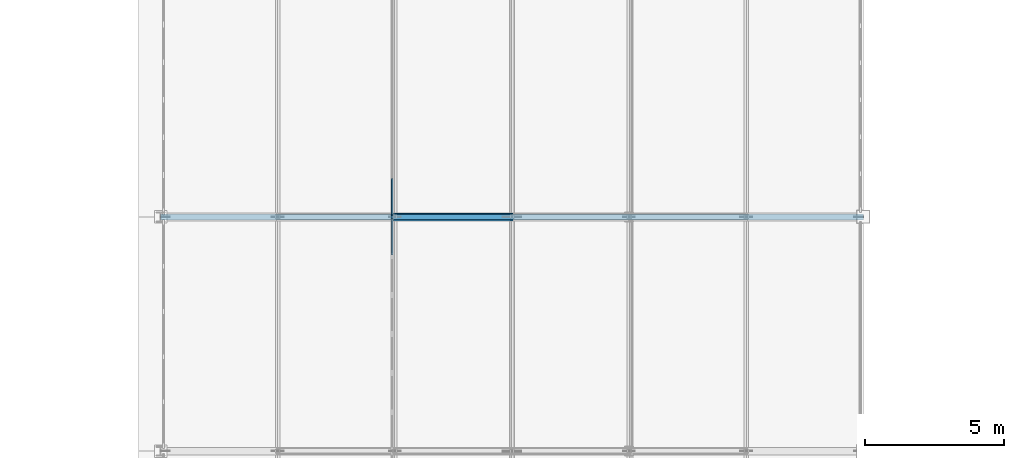
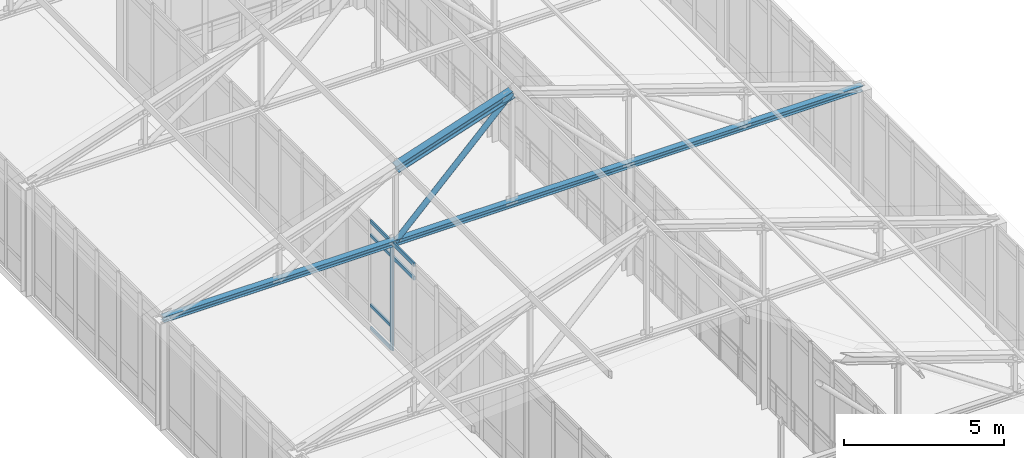
# One storey, part 53 of 192: 10 members, 2 elements without a shape of their own.
"""IFC4 building model written with IfcOpenShell, lengths in metres."""

from ifc_helpers import new_model, si_unit, direction, frame, origin, origin_2d, place, context, subcontext, project, spatial, rectangle, hollow_circle, i_section, extrude, material, layer, layer_set, material_profile, profile_set, type_object, element, aggregate, save


model = new_model("IFC4")

# Units and contexts
model_context = context("Model", 3, precision=1e-05, world=origin(), true_north=direction((0.0, 1.0)))
body_context = subcontext(model_context, "Body", "Model", "MODEL_VIEW")
ifc_project = project(units=[si_unit("LENGTHUNIT", "METRE"), si_unit("AREAUNIT", "SQUARE_METRE"), si_unit("VOLUMEUNIT", "CUBIC_METRE"), si_unit("PLANEANGLEUNIT", "RADIAN"), si_unit("MASSUNIT", "GRAM", prefix="KILO")], contexts=[model_context])

# Site, building, storey
site_placement = place(None, origin())
site = spatial("IfcSite", under=ifc_project, at=site_placement, CompositionType="ELEMENT")
building_placement = place(site_placement, origin())
building = spatial("IfcBuilding", under=site, at=building_placement, Name="Kveldsbrygga Polytechnic", CompositionType="ELEMENT")
storey_placement = place(building_placement, frame((0.0, 0.0, 5.43994140625)))
storey = spatial("IfcBuildingStorey", under=building, at=storey_placement, Name="L01", CompositionType="ELEMENT", Elevation=5.43994140625)

# Curtain wall, members
ifc_material_1 = material(Name="Anodised aluminium AW-6060", Category="aluminium")
ifc_layer_1 = layer(ifc_material_1, 0.179931640625)
ifc_layer_set_1 = layer_set([ifc_layer_1], Name="Anodised aluminium AW-6060")
curtain_wall_type_1 = type_object("IfcCurtainWallType", Name="CW-CONC-A", PredefinedType="USERDEFINED", material=ifc_layer_set_1)
curtain_wall_1_placement = place(storey_placement, origin())
curtain_wall_1 = element("IfcCurtainWall", 1, at=curtain_wall_1_placement, inside=storey, type_object=curtain_wall_type_1, Name="Curtain Wall CW-L01-Y-07-07", ObjectType="UNITISED CURTAIN WALL", PredefinedType="USERDEFINED")
ifc_material_profile_1 = material_profile(ifc_material_1, rectangle(XDim=0.06005859375, YDim=0.139892578125, at=origin_2d()), Name="ALU 60x140")
ifc_profile_set_1 = profile_set([ifc_material_profile_1], Name="Anodised aluminium AW-6060")
member_type_1 = type_object("IfcMemberType", Name="CW-MUL-140", PredefinedType="MULLION", material=ifc_profile_set_1)
member_1_placement = place(storey_placement, frame((58.699951171875, 58.830078125, 0.0), z_axis=(0.0, 0.0, 1.0), x_axis=(-1.0, 0.0, 0.0)))
member_1 = element("IfcMember", 2, at=member_1_placement, type_object=member_type_1, Name="CW-01 mullion 1", PredefinedType="MULLION", context=body_context, shape_type="SweptSolid", body=[
    extrude(rectangle(XDim=0.06005859375, YDim=0.139892578125, at=origin_2d()), origin(), (0.0, 0.0, 1.0), 4.1201171875),
])
ifc_material_profile_2 = material_profile(ifc_material_1, rectangle(XDim=0.06005859375, YDim=0.1201171875, at=origin_2d()), Name="ALU 60x120")
ifc_profile_set_2 = profile_set([ifc_material_profile_2], Name="Anodised aluminium AW-6060")
member_type_2 = type_object("IfcMemberType", Name="CW-TRN-120", PredefinedType="USERDEFINED", material=ifc_profile_set_2)
member_2_placement = place(storey_placement, frame((58.699951171875, 58.860107421875, 0.030029296875), z_axis=(0.0, 1.0, 0.0), x_axis=(-1.0, 0.0, 0.0)))
member_2 = element("IfcMember", 3, at=member_2_placement, type_object=member_type_2, Name="CW-01 transom 1.1", ObjectType="TRANSOM", PredefinedType="USERDEFINED", context=body_context, shape_type="SweptSolid", body=[
    extrude(rectangle(XDim=0.06005859375, YDim=0.1201171875, at=origin_2d()), origin(), (0.0, 0.0, 1.0), 1.309814453125),
])
member_3_placement = place(storey_placement, frame((58.699951171875, 58.860107421875, 0.900146484375), z_axis=(0.0, 1.0, 0.0), x_axis=(-1.0, 0.0, 0.0)))
member_3 = element("IfcMember", 4, at=member_3_placement, type_object=member_type_2, Name="CW-01 transom 1.2", ObjectType="TRANSOM", PredefinedType="USERDEFINED", context=body_context, shape_type="SweptSolid", body=[
    extrude(rectangle(XDim=0.06005859375, YDim=0.1201171875, at=origin_2d()), origin(), (0.0, 0.0, 1.0), 1.309814453125),
])
member_4_placement = place(storey_placement, frame((58.699951171875, 58.860107421875, 3.570068359375), z_axis=(0.0, 1.0, 0.0), x_axis=(-1.0, 0.0, 0.0)))
member_4 = element("IfcMember", 5, at=member_4_placement, type_object=member_type_2, Name="CW-01 transom 1.3", ObjectType="TRANSOM", PredefinedType="USERDEFINED", context=body_context, shape_type="SweptSolid", body=[
    extrude(rectangle(XDim=0.06005859375, YDim=0.1201171875, at=origin_2d()), origin(), (0.0, 0.0, 1.0), 1.309814453125),
])
member_5_placement = place(storey_placement, frame((58.699951171875, 58.860107421875, 4.090087890625), z_axis=(0.0, 1.0, 0.0), x_axis=(-1.0, 0.0, 0.0)))
member_5 = element("IfcMember", 6, at=member_5_placement, type_object=member_type_2, Name="CW-01 transom 1.4", ObjectType="TRANSOM", PredefinedType="USERDEFINED", context=body_context, shape_type="SweptSolid", body=[
    extrude(rectangle(XDim=0.06005859375, YDim=0.1201171875, at=origin_2d()), origin(), (0.0, 0.0, 1.0), 1.309814453125),
])
aggregate(curtain_wall_1, [member_1, member_2, member_3, member_4, member_5])

ifc_layer_2 = layer(ifc_material_1, 0.2099609375)
ifc_layer_set_2 = layer_set([ifc_layer_2], Name="Anodised aluminium AW-6060")
curtain_wall_type_2 = type_object("IfcCurtainWallType", Name="CW-LIBR-H", PredefinedType="USERDEFINED", material=ifc_layer_set_2)
curtain_wall_2_placement = place(storey_placement, origin())
curtain_wall_2 = element("IfcCurtainWall", 7, at=curtain_wall_2_placement, inside=storey, type_object=curtain_wall_type_2, Name="Curtain Wall CW-L01-Y-07-06", ObjectType="UNITISED CURTAIN WALL", PredefinedType="USERDEFINED")
ifc_material_profile_3 = material_profile(ifc_material_1, rectangle(XDim=0.06005859375, YDim=0.14990234375, at=origin_2d()), Name="ALU 60x150")
ifc_profile_set_3 = profile_set([ifc_material_profile_3], Name="Anodised aluminium AW-6060")
member_type_3 = type_object("IfcMemberType", Name="CW-TRN-150", PredefinedType="USERDEFINED", material=ifc_profile_set_3)
member_6_placement = place(storey_placement, frame((58.699951171875, 57.4375, 3.570068359375), z_axis=(0.0, 1.0, 0.0), x_axis=(-1.0, 0.0, 0.0)))
member_6 = element("IfcMember", 8, at=member_6_placement, type_object=member_type_3, Name="CW-08 transom 6.3", ObjectType="TRANSOM", PredefinedType="USERDEFINED", context=body_context, shape_type="SweptSolid", body=[
    extrude(rectangle(XDim=0.06005859375, YDim=0.14990234375, at=origin_2d()), origin(), (0.0, 0.0, 1.0), 1.28759765625),
])
member_7_placement = place(storey_placement, frame((58.699951171875, 57.4375, 4.090087890625), z_axis=(0.0, 1.0, 0.0), x_axis=(-1.0, 0.0, 0.0)))
member_7 = element("IfcMember", 9, at=member_7_placement, type_object=member_type_3, Name="CW-08 transom 6.4", ObjectType="TRANSOM", PredefinedType="USERDEFINED", context=body_context, shape_type="SweptSolid", body=[
    extrude(rectangle(XDim=0.06005859375, YDim=0.14990234375, at=origin_2d()), origin(), (0.0, 0.0, 1.0), 1.28759765625),
])
aggregate(curtain_wall_2, [member_6, member_7])

# Members
ifc_material_2 = material(Name="Steel S355", Category="steel")
ifc_material_profile_4 = material_profile(ifc_material_2, i_section(OverallWidth=0.219970703125, OverallDepth=0.2099609375, WebThickness=0.007080078125, FlangeThickness=0.010986328125, FilletRadius=0.01806640625, at=origin_2d()), Name="HEA 220")
ifc_profile_set_4 = profile_set([ifc_material_profile_4], Name="Steel S355")
member_type_4 = type_object("IfcMemberType", Name="TR-BOT-HEA220", PredefinedType="CHORD", material=ifc_profile_set_4)
member_8_placement = place(storey_placement, frame((50.39990234375, 58.800048828125, 4.1201171875), z_axis=(1.0, 0.0, 0.0), x_axis=(0.0, 1.0, 0.0)))
element("IfcMember", 10, at=member_8_placement, inside=storey, type_object=member_type_4, Name="Truss Bottom Chord V5C-T07-BC-1", PredefinedType="CHORD", context=body_context, shape_type="SweptSolid", body=[
    extrude(i_section(OverallWidth=0.219970703125, OverallDepth=0.2099609375, WebThickness=0.007080078125, FlangeThickness=0.010986328125, FilletRadius=0.01806640625, at=origin_2d()), origin(), (0.0, 0.0, 1.0), 25.2001953125),
])
ifc_material_profile_5 = material_profile(ifc_material_2, hollow_circle(Radius=0.096923828125, WallThickness=0.010009765625, at=origin_2d()), Name="CHS 193.7x10.0")
ifc_profile_set_5 = profile_set([ifc_material_profile_5], Name="Steel S355")
member_type_5 = type_object("IfcMemberType", Name="TR-DIAG-CHS194", PredefinedType="BRACE", material=ifc_profile_set_5)
member_9_placement = place(storey_placement, frame((58.800048828125, 58.800048828125, 4.1201171875), z_axis=(0.707106781187, 0.0, 0.707106781187), x_axis=(0.0, 1.0, 0.0)))
element("IfcMember", 11, at=member_9_placement, inside=storey, type_object=member_type_5, Name="Truss Diagonal V5C-T07-DG-3", PredefinedType="BRACE", context=body_context, shape_type="SweptSolid", body=[
    extrude(hollow_circle(Radius=0.096923828125, WallThickness=0.010009765625, at=origin_2d()), origin(), (0.0, 0.0, 1.0), 5.939697265625),
])
ifc_material_profile_6 = material_profile(ifc_material_2, i_section(OverallWidth=0.280029296875, OverallDepth=0.280029296875, WebThickness=0.010498046875, FlangeThickness=0.01806640625, FilletRadius=0.02392578125, at=origin_2d()), Name="HEB 280")
ifc_profile_set_6 = profile_set([ifc_material_profile_6], Name="Steel S355")
member_type_6 = type_object("IfcMemberType", Name="TR-TOP-HEB280", PredefinedType="CHORD", material=ifc_profile_set_6)
member_10_placement = place(storey_placement, frame((58.800048828125, 58.800048828125, 6.920166015625), z_axis=(0.948688812577, 0.0, 0.316211221956), x_axis=(0.0, 1.0, 0.0)))
element("IfcMember", 12, at=member_10_placement, inside=storey, type_object=member_type_6, Name="Truss Top Chord V5C-T07-TC-3", PredefinedType="CHORD", context=body_context, shape_type="SweptSolid", body=[
    extrude(i_section(OverallWidth=0.280029296875, OverallDepth=0.280029296875, WebThickness=0.010498046875, FlangeThickness=0.01806640625, FilletRadius=0.02392578125, at=origin_2d()), origin(), (0.0, 0.0, 1.0), 4.427001953125),
])

save(model, "model.ifc")
